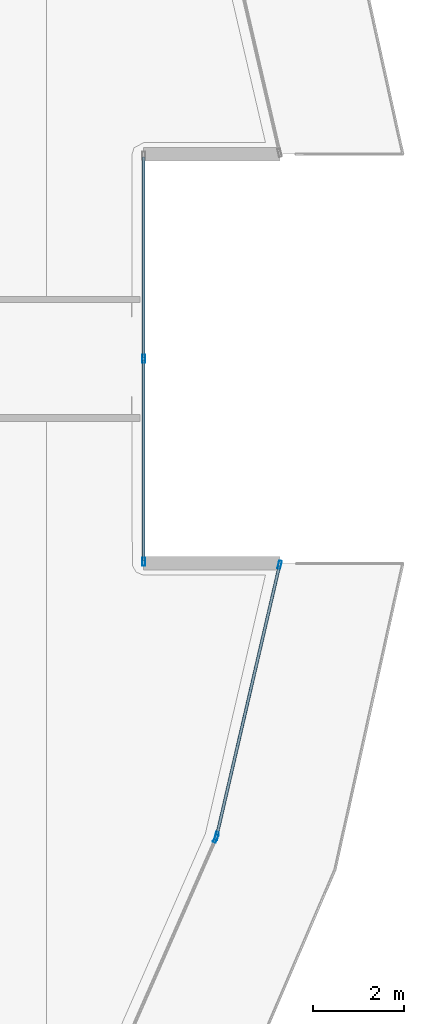
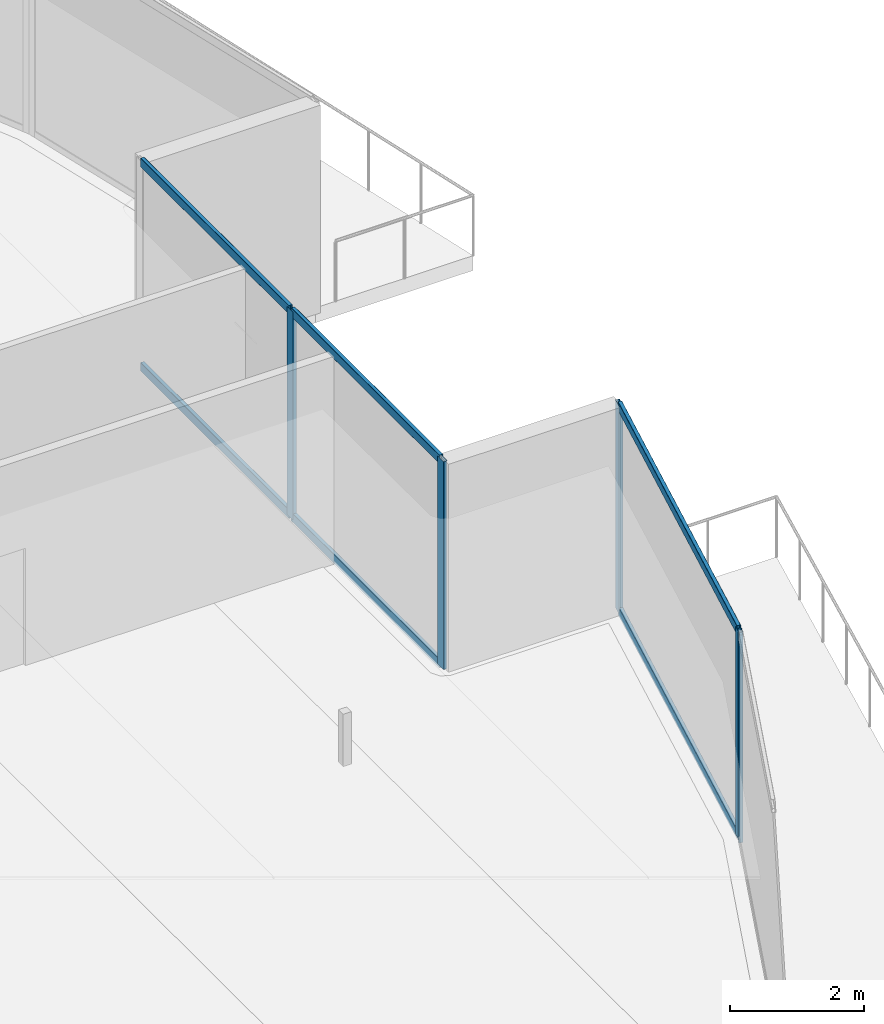
# One storey, part 14 of 39: 11 members, 3 elements without a shape of their own.
"""IFC4 building model written with IfcOpenShell, lengths in metres."""

from ifc_helpers import new_model, si_unit, direction, frame, origin, origin_2d, place, context, subcontext, project, spatial, hollow_rectangle, extrude, material, layer, layer_set, material_profile, profile_set, type_object, element, aggregate, save


model = new_model("IFC4")

# Units and contexts
model_context = context("Model", 3, precision=1e-05, world=origin(), true_north=direction((0.0, 1.0)))
body_context = subcontext(model_context, "Body", "Model", "MODEL_VIEW")
ifc_project = project(units=[si_unit("LENGTHUNIT", "METRE"), si_unit("AREAUNIT", "SQUARE_METRE"), si_unit("VOLUMEUNIT", "CUBIC_METRE"), si_unit("PLANEANGLEUNIT", "RADIAN"), si_unit("MASSUNIT", "GRAM", prefix="KILO")], contexts=[model_context])

# Site, building, storey
site_placement = place(None, origin())
site = spatial("IfcSite", under=ifc_project, at=site_placement, CompositionType="ELEMENT")
building_placement = place(site_placement, origin())
building = spatial("IfcBuilding", under=site, at=building_placement, Name="Qorvath Tower", CompositionType="ELEMENT")
storey_placement = place(building_placement, frame((0.0, 0.0, 201.0)))
storey = spatial("IfcBuildingStorey", under=building, at=storey_placement, Name="L46", CompositionType="ELEMENT", Elevation=201.0)

# Curtain wall, member
ifc_material_1 = material(Name="Anodised aluminium and triple low-E glass", Category="aluminium")
ifc_layer = layer(ifc_material_1, 0.179931640625)
ifc_layer_set = layer_set([ifc_layer], Name="CW-SYS-3")
curtain_wall_type = type_object("IfcCurtainWallType", Name="CW-SYS-3", PredefinedType="NOTDEFINED", material=ifc_layer_set)
curtain_wall_1_placement = place(storey_placement, origin())
curtain_wall_1 = element("IfcCurtainWall", 1, at=curtain_wall_1_placement, inside=storey, type_object=curtain_wall_type, Name="Curtain Wall CW-3 CW-T-L46-6.1", PredefinedType="NOTDEFINED")
ifc_material_2 = material(Name="Anodised aluminium 6063-T6", Category="aluminium")
ifc_material_profile_1 = material_profile(ifc_material_2, hollow_rectangle(XDim=0.06494140625, YDim=0.179931640625, WallThickness=0.00341796875, InnerFilletRadius=0.00341796875, OuterFilletRadius=0.007080078125, at=origin_2d()), Name="CWM 180x65")
ifc_profile_set_1 = profile_set([ifc_material_profile_1], Name="Anodised aluminium 6063-T6")
member_type_1 = type_object("IfcMemberType", Name="CWM-180", PredefinedType="MULLION", material=ifc_profile_set_1)
member_1_placement = place(storey_placement, frame((0.2646484375, -10.603515625, 0.0), z_axis=(0.0, 0.0, 1.0), x_axis=(-0.915498802884, 0.402320695364, 0.0)))
member_1 = element("IfcMember", 2, at=member_1_placement, type_object=member_type_1, Name="CW-3 mullion 2", PredefinedType="MULLION", context=body_context, shape_type="SweptSolid", body=[
    extrude(hollow_rectangle(XDim=0.06494140625, YDim=0.179931640625, WallThickness=0.00341796875, InnerFilletRadius=0.00341796875, OuterFilletRadius=0.007080078125, at=origin_2d()), origin(), (0.0, 0.0, 1.0), 3.780029296875),
])
aggregate(curtain_wall_1, [member_1])

# Curtain wall, members
curtain_wall_2_placement = place(storey_placement, origin())
curtain_wall_2 = element("IfcCurtainWall", 3, at=curtain_wall_2_placement, inside=storey, type_object=curtain_wall_type, Name="Curtain Wall CW-3 CW-T-L46-7.1", PredefinedType="NOTDEFINED")
member_2_placement = place(storey_placement, frame((0.28515625, -10.5419921875, 0.0), z_axis=(0.0, 0.0, 1.0), x_axis=(-0.974064216624, 0.226271743469, 0.0)))
member_2 = element("IfcMember", 4, at=member_2_placement, type_object=member_type_1, Name="CW-3 mullion 1", PredefinedType="MULLION", context=body_context, shape_type="SweptSolid", body=[
    extrude(hollow_rectangle(XDim=0.06494140625, YDim=0.179931640625, WallThickness=0.00341796875, InnerFilletRadius=0.00341796875, OuterFilletRadius=0.007080078125, at=origin_2d()), origin(), (0.0, 0.0, 1.0), 3.780029296875),
])
member_3_placement = place(storey_placement, frame((1.6767578125, -4.551513671875, 0.0), z_axis=(0.0, 0.0, 1.0), x_axis=(-0.974064216624, 0.226271743469, 0.0)))
member_3 = element("IfcMember", 5, at=member_3_placement, type_object=member_type_1, Name="CW-3 mullion 2", PredefinedType="MULLION", context=body_context, shape_type="SweptSolid", body=[
    extrude(hollow_rectangle(XDim=0.06494140625, YDim=0.179931640625, WallThickness=0.00341796875, InnerFilletRadius=0.00341796875, OuterFilletRadius=0.007080078125, at=origin_2d()), origin(), (0.0, 0.0, 1.0), 3.780029296875),
])

curtain_wall_3_placement = place(storey_placement, origin())
curtain_wall_3 = element("IfcCurtainWall", 6, at=curtain_wall_3_placement, inside=storey, type_object=curtain_wall_type, Name="Curtain Wall CW-3 CW-T-L46-9.1", PredefinedType="NOTDEFINED")
member_4_placement = place(storey_placement, frame((-1.3291015625, -4.4873046875, 0.0), z_axis=(0.0, 0.0, 1.0), x_axis=(-1.0, 0.0, 0.0)))
member_4 = element("IfcMember", 7, at=member_4_placement, type_object=member_type_1, Name="CW-3 mullion 1", PredefinedType="MULLION", context=body_context, shape_type="SweptSolid", body=[
    extrude(hollow_rectangle(XDim=0.06494140625, YDim=0.179931640625, WallThickness=0.00341796875, InnerFilletRadius=0.00341796875, OuterFilletRadius=0.007080078125, at=origin_2d()), origin(), (0.0, 0.0, 1.0), 3.780029296875),
])
member_5_placement = place(storey_placement, frame((-1.3291015625, 0.0, 0.0), z_axis=(0.0, 0.0, 1.0), x_axis=(-1.0, 0.0, 0.0)))
member_5 = element("IfcMember", 8, at=member_5_placement, type_object=member_type_1, Name="CW-3 mullion 2", PredefinedType="MULLION", context=body_context, shape_type="SweptSolid", body=[
    extrude(hollow_rectangle(XDim=0.06494140625, YDim=0.179931640625, WallThickness=0.00341796875, InnerFilletRadius=0.00341796875, OuterFilletRadius=0.007080078125, at=origin_2d()), origin(), (0.0, 0.0, 1.0), 3.780029296875),
])

# Member
ifc_material_3 = material(Name="Anodised aluminium 6063-T6", Category="aluminium")
ifc_material_profile_2 = material_profile(ifc_material_3, hollow_rectangle(XDim=0.06494140625, YDim=0.159912109375, WallThickness=0.00341796875, InnerFilletRadius=0.00341796875, OuterFilletRadius=0.007080078125, at=origin_2d()), Name="CWT 160x65")
ifc_profile_set_2 = profile_set([ifc_material_profile_2], Name="Anodised aluminium 6063-T6")
member_type_2 = type_object("IfcMemberType", Name="CWT-160", PredefinedType="USERDEFINED", material=ifc_profile_set_2)
member_6_placement = place(storey_placement, frame((0.29248046875, -10.510498046875, 0.032470703125), z_axis=(0.226274499404, 0.974063576426, 0.0), x_axis=(-0.974063576426, 0.226274499404, 0.0)))
member_6 = element("IfcMember", 9, at=member_6_placement, type_object=member_type_2, Name="CW-3 transom 1.1", ObjectType="TRANSOM", PredefinedType="USERDEFINED", context=body_context, shape_type="SweptSolid", body=[
    extrude(hollow_rectangle(XDim=0.06494140625, YDim=0.159912109375, WallThickness=0.00341796875, InnerFilletRadius=0.00341796875, OuterFilletRadius=0.007080078125, at=origin_2d()), origin(), (0.0, 0.0, 1.0), 6.085205078125),
])

member_7_placement = place(storey_placement, frame((0.29248046875, -10.510498046875, 3.74755859375), z_axis=(0.226274499404, 0.974063576426, 0.0), x_axis=(-0.974063576426, 0.226274499404, 0.0)))
member_7 = element("IfcMember", 10, at=member_7_placement, type_object=member_type_2, Name="CW-3 transom 1.2", ObjectType="TRANSOM", PredefinedType="USERDEFINED", context=body_context, shape_type="SweptSolid", body=[
    extrude(hollow_rectangle(XDim=0.06494140625, YDim=0.159912109375, WallThickness=0.00341796875, InnerFilletRadius=0.00341796875, OuterFilletRadius=0.007080078125, at=origin_2d()), origin(), (0.0, 0.0, 1.0), 6.085205078125),
])

aggregate(curtain_wall_2, [member_2, member_3, member_6, member_7])

member_8_placement = place(storey_placement, frame((-1.3291015625, -4.454833984375, 0.032470703125), z_axis=(0.0, 1.0, 0.0), x_axis=(-1.0, 0.0, 0.0)))
member_8 = element("IfcMember", 11, at=member_8_placement, type_object=member_type_2, Name="CW-3 transom 1.1", ObjectType="TRANSOM", PredefinedType="USERDEFINED", context=body_context, shape_type="SweptSolid", body=[
    extrude(hollow_rectangle(XDim=0.06494140625, YDim=0.159912109375, WallThickness=0.00341796875, InnerFilletRadius=0.00341796875, OuterFilletRadius=0.007080078125, at=origin_2d()), origin(), (0.0, 0.0, 1.0), 4.42236328125),
])

member_9_placement = place(storey_placement, frame((-1.3291015625, -4.454833984375, 3.74755859375), z_axis=(0.0, 1.0, 0.0), x_axis=(-1.0, 0.0, 0.0)))
member_9 = element("IfcMember", 12, at=member_9_placement, type_object=member_type_2, Name="CW-3 transom 1.2", ObjectType="TRANSOM", PredefinedType="USERDEFINED", context=body_context, shape_type="SweptSolid", body=[
    extrude(hollow_rectangle(XDim=0.06494140625, YDim=0.159912109375, WallThickness=0.00341796875, InnerFilletRadius=0.00341796875, OuterFilletRadius=0.007080078125, at=origin_2d()), origin(), (0.0, 0.0, 1.0), 4.42236328125),
])

member_10_placement = place(storey_placement, frame((-1.3291015625, 0.032470703125, 0.032470703125), z_axis=(0.0, 1.0, 0.0), x_axis=(-1.0, 0.0, 0.0)))
member_10 = element("IfcMember", 13, at=member_10_placement, type_object=member_type_2, Name="CW-3 transom 2.1", ObjectType="TRANSOM", PredefinedType="USERDEFINED", context=body_context, shape_type="SweptSolid", body=[
    extrude(hollow_rectangle(XDim=0.06494140625, YDim=0.159912109375, WallThickness=0.00341796875, InnerFilletRadius=0.00341796875, OuterFilletRadius=0.007080078125, at=origin_2d()), origin(), (0.0, 0.0, 1.0), 4.42236328125),
])

member_11_placement = place(storey_placement, frame((-1.3291015625, 0.032470703125, 3.74755859375), z_axis=(0.0, 1.0, 0.0), x_axis=(-1.0, 0.0, 0.0)))
member_11 = element("IfcMember", 14, at=member_11_placement, type_object=member_type_2, Name="CW-3 transom 2.2", ObjectType="TRANSOM", PredefinedType="USERDEFINED", context=body_context, shape_type="SweptSolid", body=[
    extrude(hollow_rectangle(XDim=0.06494140625, YDim=0.159912109375, WallThickness=0.00341796875, InnerFilletRadius=0.00341796875, OuterFilletRadius=0.007080078125, at=origin_2d()), origin(), (0.0, 0.0, 1.0), 4.42236328125),
])

aggregate(curtain_wall_3, [member_4, member_5, member_8, member_9, member_10, member_11])

save(model, "model.ifc")
